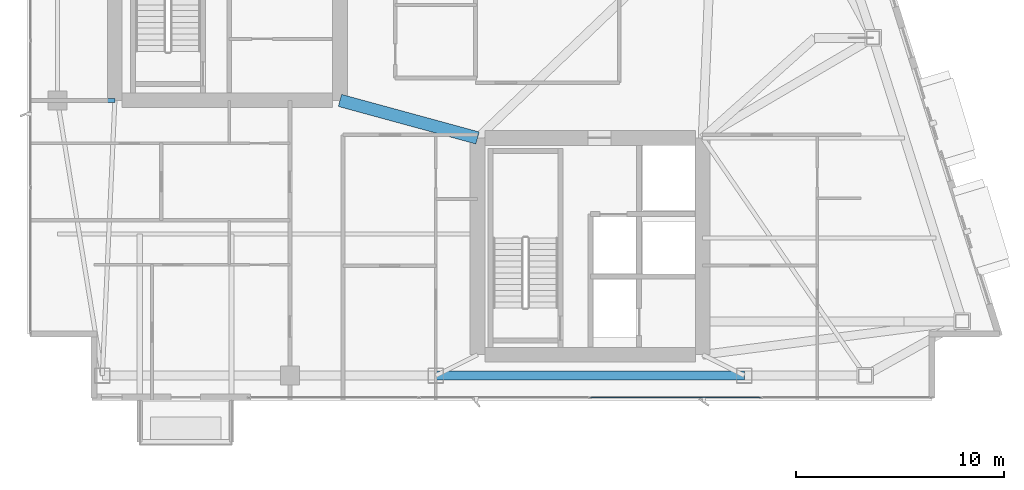
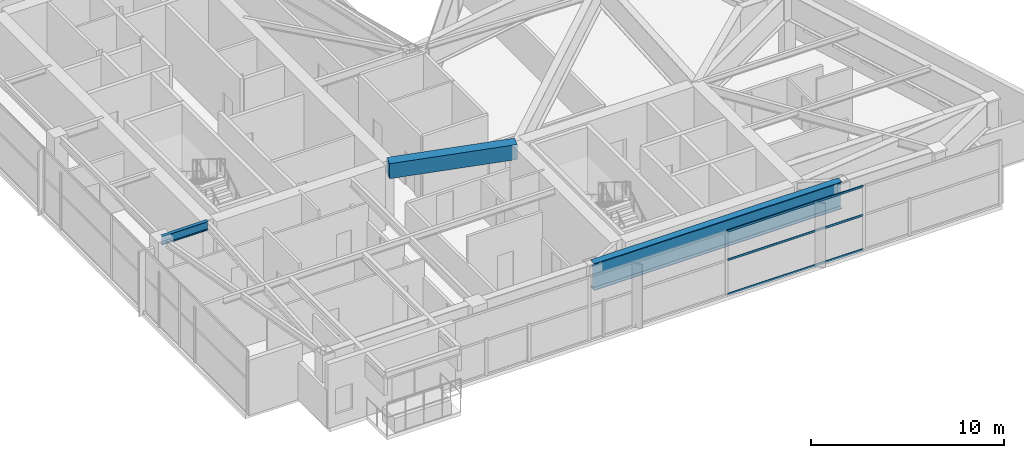
# One storey, part 8 of 29: 3 beams, 3 members, 1 element without a shape of its own.
"""IFC4 building model written with IfcOpenShell, lengths in metres."""

from ifc_helpers import new_model, si_unit, direction, frame, origin, origin_2d, place, context, subcontext, project, spatial, rectangle, hollow_rectangle, i_section, extrude, material, layer, layer_set, material_profile, profile_set, type_object, element, aggregate, save


model = new_model("IFC4")

# Units and contexts
model_context = context("Model", 3, precision=1e-05, world=origin(), true_north=direction((0.0, 1.0)))
body_context = subcontext(model_context, "Body", "Model", "MODEL_VIEW")
ifc_project = project(units=[si_unit("LENGTHUNIT", "METRE"), si_unit("AREAUNIT", "SQUARE_METRE"), si_unit("VOLUMEUNIT", "CUBIC_METRE"), si_unit("PLANEANGLEUNIT", "RADIAN"), si_unit("MASSUNIT", "GRAM", prefix="KILO")], contexts=[model_context])

# Site, building, storey
site_placement = place(None, origin())
site = spatial("IfcSite", under=ifc_project, at=site_placement, CompositionType="ELEMENT")
building_placement = place(site_placement, origin())
building = spatial("IfcBuilding", under=site, at=building_placement, Name="Calvorn Quay Hotel", CompositionType="ELEMENT")
storey_placement = place(building_placement, frame((0.0, 0.0, 259.0)))
storey = spatial("IfcBuildingStorey", under=building, at=storey_placement, Name="L64", CompositionType="ELEMENT", Elevation=259.0)

# Beams
ifc_material_1 = material(Name="Steel Q355B", Category="steel")
ifc_material_profile_1 = material_profile(ifc_material_1, i_section(OverallWidth=0.199951171875, OverallDepth=0.550048828125, WebThickness=0.010009765625, FlangeThickness=0.01611328125, FilletRadius=0.01806640625, at=origin_2d()), Name="HN550x200x10x16")
ifc_profile_set_1 = profile_set([ifc_material_profile_1], Name="Steel Q355B")
beam_type_1 = type_object("IfcBeamType", Name="BM-GIRD-UPP", PredefinedType="BEAM", material=ifc_profile_set_1)
beam_1_placement = place(storey_placement, frame((1.449951171875, 16.800048828125, 3.77490234375), z_axis=(1.0, 0.0, 0.0), x_axis=(0.0, 1.0, 0.0)))
element("IfcBeam", 1, at=beam_1_placement, inside=storey, type_object=beam_type_1, Name="Beam BG-L64-W1", PredefinedType="BEAM", context=body_context, shape_type="SweptSolid", body=[
    extrude(i_section(OverallWidth=0.199951171875, OverallDepth=0.550048828125, WebThickness=0.010009765625, FlangeThickness=0.01611328125, FilletRadius=0.01806640625, at=origin_2d()), origin(), (0.0, 0.0, 1.0), 2.75),
])
ifc_material_2 = material(Name="Concrete C45", Category="concrete")
ifc_material_profile_2 = material_profile(ifc_material_2, rectangle(XDim=0.60009765625, YDim=0.949951171875, at=origin_2d()), Name="RCB600x950")
ifc_profile_set_2 = profile_set([ifc_material_profile_2], Name="Concrete C45")
beam_type_2 = type_object("IfcBeamType", Name="BM-RC-LINK-600x950", PredefinedType="BEAM", material=ifc_profile_set_2)
beam_2_placement = place(storey_placement, frame((15.0, 16.800048828125, 3.574951171875), z_axis=(0.964762997686, -0.263120425462, 0.0), x_axis=(0.263120425462, 0.964762997686, 0.0)))
element("IfcBeam", 2, at=beam_2_placement, inside=storey, type_object=beam_type_2, Name="Beam BCL-L64-01", PredefinedType="BEAM", context=body_context, shape_type="SweptSolid", body=[
    extrude(rectangle(XDim=0.60009765625, YDim=0.949951171875, at=origin_2d()), origin(), (0.0, 0.0, 1.0), 6.841064453125),
])
ifc_material_3 = material(Name="Steel Q420GJC", Category="steel")
ifc_material_profile_3 = material_profile(ifc_material_3, i_section(OverallWidth=0.419921875, OverallDepth=1.699951171875, WebThickness=0.02392578125, FlangeThickness=0.0419921875, FilletRadius=0.02392578125, at=origin_2d()), Name="HN1700x420x24x42")
ifc_profile_set_3 = profile_set([ifc_material_profile_3], Name="Steel Q420GJC")
beam_type_3 = type_object("IfcBeamType", Name="BM-XFER-SAWTOOTH", PredefinedType="BEAM", material=ifc_profile_set_3)
beam_3_placement = place(storey_placement, frame((19.60009765625, 3.60009765625, 3.199951171875), z_axis=(1.0, 0.0, 0.0), x_axis=(0.0, 1.0, 0.0)))
element("IfcBeam", 3, at=beam_3_placement, inside=storey, type_object=beam_type_3, Name="Beam BSP-L64-S3", PredefinedType="BEAM", context=body_context, shape_type="SweptSolid", body=[
    extrude(i_section(OverallWidth=0.419921875, OverallDepth=1.699951171875, WebThickness=0.02392578125, FlangeThickness=0.0419921875, FilletRadius=0.02392578125, at=origin_2d()), origin(), (0.0, 0.0, 1.0), 14.7998046875),
])

# Curtain wall, members
ifc_material_4 = material(Name="Champagne Bronze Anodised Aluminium and Low-E Glass", Category="aluminium")
ifc_layer = layer(ifc_material_4, 0.219970703125)
ifc_layer_set = layer_set([ifc_layer], Name="CW-SYS-Z4")
curtain_wall_type = type_object("IfcCurtainWallType", Name="CW-SYS-Z4", PredefinedType="NOTDEFINED", material=ifc_layer_set)
curtain_wall_placement = place(storey_placement, origin())
curtain_wall = element("IfcCurtainWall", 4, at=curtain_wall_placement, inside=storey, type_object=curtain_wall_type, Name="Tower South Waterfront Curtain Wall (L64)", PredefinedType="NOTDEFINED")
ifc_material_5 = material(Name="Champagne Bronze Anodised Aluminium 6063-T6", Category="aluminium")
ifc_material_profile_4 = material_profile(ifc_material_5, hollow_rectangle(XDim=0.054931640625, YDim=0.1298828125, WallThickness=0.003173828125, at=origin_2d()), Name="ALU-T130x55x3.2")
ifc_profile_set_4 = profile_set([ifc_material_profile_4], Name="Champagne Bronze Anodised Aluminium 6063-T6")
member_type = type_object("IfcMemberType", Name="CW-SYS-Z4-TRN", PredefinedType="USERDEFINED", material=ifc_profile_set_4)
member_1_placement = place(storey_placement, frame((27.030029296875, 2.550048828125, 0.030029296875), z_axis=(1.0, 0.0, 0.0), x_axis=(0.0, 1.0, 0.0)))
member_1 = element("IfcMember", 5, at=member_1_placement, type_object=member_type, Name="CW-L64-S transom 3.1", ObjectType="TRANSOM", PredefinedType="USERDEFINED", context=body_context, shape_type="SweptSolid", body=[
    extrude(hollow_rectangle(XDim=0.054931640625, YDim=0.1298828125, WallThickness=0.003173828125, at=origin_2d()), origin(), (0.0, 0.0, 1.0), 8.139892578125),
])
member_2_placement = place(storey_placement, frame((27.030029296875, 2.550048828125, 2.199951171875), z_axis=(1.0, 0.0, 0.0), x_axis=(0.0, 1.0, 0.0)))
member_2 = element("IfcMember", 6, at=member_2_placement, type_object=member_type, Name="CW-L64-S transom 3.2", ObjectType="TRANSOM", PredefinedType="USERDEFINED", context=body_context, shape_type="SweptSolid", body=[
    extrude(hollow_rectangle(XDim=0.054931640625, YDim=0.1298828125, WallThickness=0.003173828125, at=origin_2d()), origin(), (0.0, 0.0, 1.0), 8.139892578125),
])
member_3_placement = place(storey_placement, frame((27.030029296875, 2.550048828125, 4.02001953125), z_axis=(1.0, 0.0, 0.0), x_axis=(0.0, 1.0, 0.0)))
member_3 = element("IfcMember", 7, at=member_3_placement, type_object=member_type, Name="CW-L64-S transom 3.3", ObjectType="TRANSOM", PredefinedType="USERDEFINED", context=body_context, shape_type="SweptSolid", body=[
    extrude(hollow_rectangle(XDim=0.054931640625, YDim=0.1298828125, WallThickness=0.003173828125, at=origin_2d()), origin(), (0.0, 0.0, 1.0), 8.139892578125),
])
aggregate(curtain_wall, [member_1, member_2, member_3])

save(model, "model.ifc")
